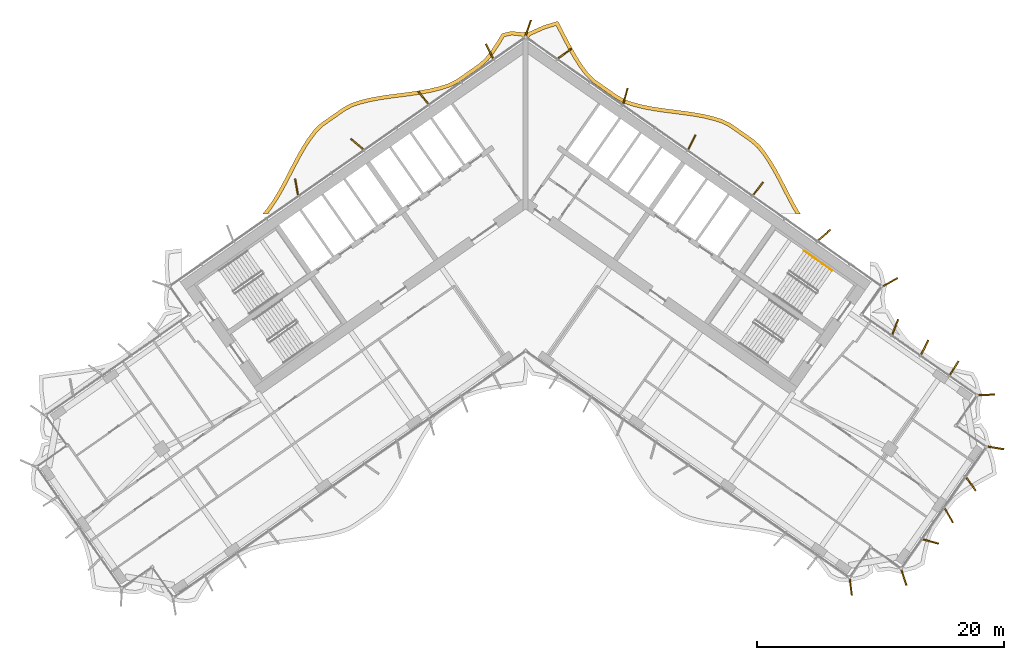
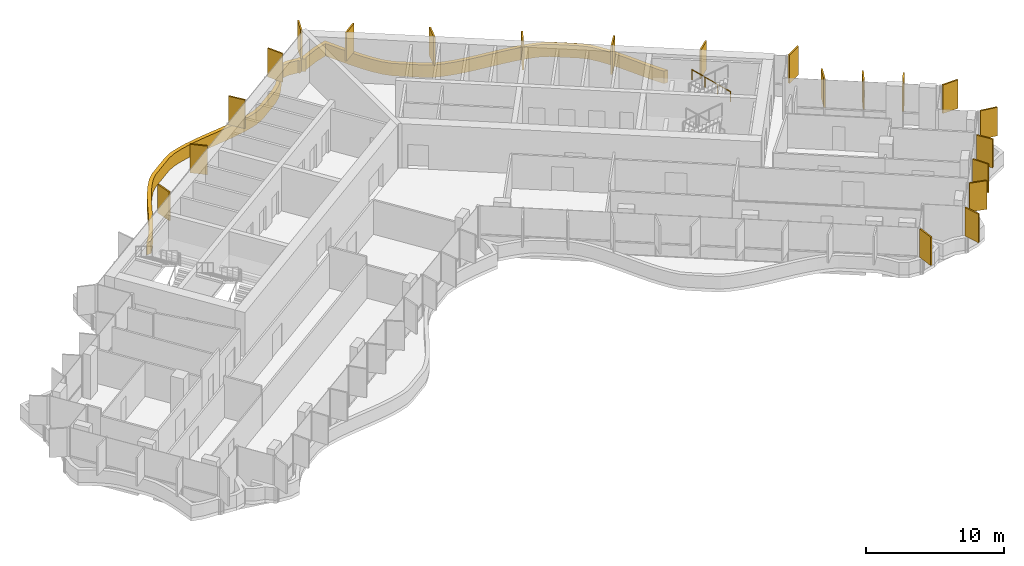
# One storey, part 21 of 21: 22 shading devices, 1 railing.
"""IFC4 building model written with IfcOpenShell, lengths in metres."""

from ifc_helpers import new_model, si_unit, direction, frame, origin, origin_2d, place, context, subcontext, project, spatial, polyline, rectangle, circle, outline, extrude, material, layer, layer_set, type_object, element, save


model = new_model("IFC4")

# Units and contexts
model_context = context("Model", 3, precision=1e-05, world=origin(), true_north=direction((0.0, 1.0)))
body_context = subcontext(model_context, "Body", "Model", "MODEL_VIEW")
ifc_project = project(units=[si_unit("LENGTHUNIT", "METRE"), si_unit("AREAUNIT", "SQUARE_METRE"), si_unit("VOLUMEUNIT", "CUBIC_METRE"), si_unit("PLANEANGLEUNIT", "RADIAN"), si_unit("MASSUNIT", "GRAM", prefix="KILO")], contexts=[model_context])

# Site, building, storey
site_placement = place(None, origin())
site = spatial("IfcSite", under=ifc_project, at=site_placement, CompositionType="ELEMENT")
building_placement = place(site_placement, origin())
building = spatial("IfcBuilding", under=site, at=building_placement, Name="Tel Ilan Convention Tower", CompositionType="ELEMENT")
storey_placement = place(building_placement, frame((0.0, 0.0, 159.300048828125)))
storey = spatial("IfcBuildingStorey", under=building, at=storey_placement, Name="L36", CompositionType="ELEMENT", Elevation=159.300048828125)

# Shading devices
ifc_material_1 = material(Name="Aluminium, bronze anodised", Category="aluminium")
ifc_layer_1 = layer(ifc_material_1, 0.1201171875)
ifc_layer_set_1 = layer_set([ifc_layer_1], Name="FIN BRONZE 1300x120")
shading_device_type_1 = type_object("IfcShadingDeviceType", Name="FIN BRONZE 1300x120", PredefinedType="USERDEFINED", material=ifc_layer_set_1)
for number, where, z_axis, x_axis, name in (
    (1, (29.5439453125, -7.13623046875, 1.099853515625), (0.0, 0.0, 1.0), (0.870832754082, 0.491579408049, 0.0), "FIN"),
    (2, (24.191162109375, -3.33349609375, 1.099853515625), (0.0, 0.0, 1.0), (0.753435896329, 0.657521368568, 0.0), "FIN"),
    (3, (18.827880859375, 0.43017578125, 1.099853515625), (0.0, 0.0, 1.0), (0.612600545196, 0.790392669516, 0.0), "FIN"),
    (4, (13.45947265625, 4.188720703125, 1.099853515625), (0.0, 0.0, 1.0), (0.448799180206, 0.893632640321, 0.0), "FIN"),
    (5, (8.083251953125, 7.93017578125, 1.099853515625), (0.0, 0.0, 1.0), (0.268172612768, 0.963370878614, 0.0), "FIN"),
    (6, (3.172607421875, 11.36865234375, 1.099853515625), (0.0, 0.0, 1.0), (0.813552070258, 0.581492071294, 0.0), "FIN"),
    (7, (0.21630859375, 13.450439453125, 1.099853515625), (0.0, 0.0, 1.0), (0.332892691468, 0.942964716183, 0.0), "FIN"),
    (8, (-2.928955078125, 11.562255859375, 1.099853515625), (0.0, 0.0, 1.0), (-0.448799180206, 0.893632640321, 0.0), "FIN"),
    (9, (-8.29736328125, 7.8037109375, 1.099853515625), (0.0, 0.0, 1.0), (-0.612600545196, 0.790392669516, 0.0), "FIN"),
    (10, (-13.660888671875, 4.0400390625, 1.099853515625), (0.0, 0.0, 1.0), (-0.753435896329, 0.657521368568, 0.0), "FIN"),
    (11, (-18.555419921875, 0.574951171875, 1.099853515625), (0.0, 0.0, 1.0), (-0.173648177667, 0.984807753012, 0.0), "FIN"),
    (12, (26.334228515625, -31.84716796875, 1.099853515625), (0.0, 0.0, 1.0), (0.125718016748, -0.992066016082, 0.0), "FIN"),
    (13, (30.635986328125, -31.08837890625, 1.099853515625), (0.0, 0.0, 1.0), (0.314544756146, -0.949242643575, 0.0), "FIN"),
    (14, (32.82177734375, -28.150390625, 1.099853515625), (0.0, 0.0, 1.0), (0.963370878614, -0.268172612768, 0.0), "FIN"),
    (15, (34.2744140625, -26.043701171875, 1.099853515625), (0.0, 0.0, 1.0), (0.5, -0.866025403784, 0.0), "FIN"),
    (16, (36.072265625, -23.508056640625, 1.099853515625), (0.0, 0.0, 1.0), (0.581492071294, -0.813552070258, 0.0), "FIN"),
    (17, (38.088134765625, -20.572998046875, 1.099853515625), (0.0, 0.0, 1.0), (0.986445172547, -0.16409119891, 0.0), "FIN"),
    (18, (37.348876953125, -16.27099609375, 1.099853515625), (0.0, 0.0, 1.0), (0.999576950082, 0.029084718749, 0.0), "FIN"),
    (19, (34.70458984375, -14.10498046875, 1.099853515625), (0.0, 0.0, 1.0), (0.533204432798, 0.845986425922, 0.0), "FIN"),
    (20, (32.318359375, -12.4345703125, 1.099853515625), (0.0, 0.0, 1.0), (0.448799180206, 0.893632640321, 0.0), "FIN"),
    (21, (29.929443359375, -10.76953125, 1.099853515625), (0.0, 0.0, 1.0), (0.360177724803, 0.932883704733, 0.0), "FIN"),
):
    element("IfcShadingDevice", number, at=place(storey_placement, frame(where, z_axis=z_axis, x_axis=x_axis)), inside=storey, type_object=shading_device_type_1, Name=name, ObjectType="FIN", PredefinedType="USERDEFINED", context=body_context, shape_type="SweptSolid", body=[
        extrude(rectangle(XDim=1.300048828125, YDim=0.1201171875, at=origin_2d()), origin(), (0.0, 0.0, 1.0), 2.52001953125),
    ])
ifc_material_2 = material(Name="Aluminium, bronze anodised", Category="aluminium")
ifc_layer_2 = layer(ifc_material_2, 0.300048828125)
ifc_layer_set_2 = layer_set([ifc_layer_2], Name="LOUVRE BAND 300x1100")
shading_device_type_2 = type_object("IfcShadingDeviceType", Name="LOUVRE BAND 300x1100", PredefinedType="USERDEFINED", material=ifc_layer_set_2)
shading_device_placement = place(storey_placement, origin())
element("IfcShadingDevice", 22, at=shading_device_placement, inside=storey, type_object=shading_device_type_2, Name="LOUVRE BAND 28.02", ObjectType="LOUVRE", PredefinedType="USERDEFINED", context=body_context, shape_type="SweptSolid", body=[
    extrude(outline(polyline([(-20.849609375, -1.0634765625), (-21.30126953125, -1.631591796875), (-20.91796875, -1.631591796875), (-20.607666015625, -1.2412109375), (-20.154052734375, -0.572265625), (-19.73291015625, 0.13330078125), (-19.335205078125, 0.86328125), (-18.57080078125, 2.342041015625), (-18.1845703125, 3.06298828125), (-17.78369140625, 3.75341796875), (-17.359619140625, 4.40185546875), (-16.911376953125, 4.99072265625), (-16.409912109375, 5.478515625), (-14.633056640625, 6.722412109375), (-14.02197265625, 7.05712890625), (-13.32763671875, 7.284912109375), (-12.58056640625, 7.4697265625), (-11.800048828125, 7.61669921875), (-10.994384765625, 7.73681640625), (-9.345458984375, 7.94873046875), (-8.521484375, 8.068603515625), (-7.710693359375, 8.216064453125), (-6.921875, 8.404296875), (-6.152587890625, 8.64794921875), (-5.447509765625, 9.00390625), (-3.604248046875, 10.29443359375), (-3.021484375, 10.82373046875), (-2.525634765625, 11.46142578125), (-2.076904296875, 12.135498046875), (-1.727783203125, 12.727294921875), (-1.12451171875, 12.861572265625), (-0.33935546875, 12.77978515625), (-0.24609375, 12.646728515625), (0.0, 12.818115234375), (0.24609375, 12.646728515625), (0.3701171875, 12.82373046875), (1.583984375, 13.365234375), (2.46484375, 13.628173828125), (3.115478515625, 12.37158203125), (3.5078125, 11.636474609375), (3.92041015625, 10.921630859375), (4.362548828125, 10.239501953125), (4.84716796875, 9.595947265625), (5.407958984375, 9.031494140625), (7.251220703125, 7.74072265625), (7.93212890625, 7.353759765625), (8.69921875, 7.09716796875), (9.48291015625, 6.89990234375), (10.2900390625, 6.745361328125), (11.112060546875, 6.621337890625), (12.762939453125, 6.408935546875), (13.572509765625, 6.29248046875), (14.3583984375, 6.15185546875), (15.11279296875, 5.97509765625), (15.819580078125, 5.75537109375), (16.44921875, 5.450927734375), (18.22607421875, 4.206787109375), (18.74951171875, 3.746826171875), (19.200927734375, 3.172607421875), (19.63037109375, 2.533447265625), (20.03515625, 1.850341796875), (20.423583984375, 1.13427734375), (21.186767578125, -0.3427734375), (21.5810546875, -1.075927734375), (21.906005859375, -1.631591796875), (22.25341796875, -1.631591796875), (21.8427734375, -0.928955078125), (21.4521484375, -0.202880859375), (20.688720703125, 1.27490234375), (20.296142578125, 1.998291015625), (19.884033203125, 2.69384765625), (19.44384765625, 3.34912109375), (18.96826171875, 3.9541015625), (18.41162109375, 4.443115234375), (16.6015625, 5.71044921875), (15.929931640625, 6.03515625), (15.191650390625, 6.2646484375), (14.419189453125, 6.44580078125), (13.6201171875, 6.588623046875), (12.80322265625, 6.7060546875), (11.15380859375, 6.91845703125), (10.340576171875, 7.041259765625), (9.547607421875, 7.19287109375), (8.783447265625, 7.385498046875), (8.054931640625, 7.62890625), (7.411865234375, 7.99462890625), (5.601806640625, 9.261962890625), (5.074462890625, 9.792724609375), (4.608642578125, 10.41162109375), (4.17626953125, 11.078369140625), (3.770263671875, 11.7822265625), (3.38134765625, 12.510986328125), (2.6162109375, 13.986328125), (1.4794921875, 13.647216796875), (0.168701171875, 13.059326171875), (0.11474609375, 13.09521484375), (0.0, 13.1181640625), (-0.11474609375, 13.09521484375), (-0.168701171875, 13.059326171875), (-1.14208984375, 13.1650390625), (-1.919921875, 12.991943359375), (-2.3310546875, 12.294921875), (-2.769287109375, 11.63671875), (-3.242431640625, 11.0283203125), (-3.7919921875, 10.529296875), (-5.601806640625, 9.261962890625), (-6.26611328125, 8.926513671875), (-7.002197265625, 8.693603515625), (-7.7724609375, 8.509765625), (-8.570068359375, 8.36474609375), (-9.385986328125, 8.24609375), (-11.03564453125, 8.033935546875), (-11.849853515625, 7.91259765625), (-12.644287109375, 7.76318359375), (-13.41064453125, 7.573486328125), (-14.141845703125, 7.33349609375), (-14.791748046875, 6.977783203125), (-16.6015625, 5.71044921875), (-17.136474609375, 5.1904296875), (-17.604736328125, 4.574951171875), (-18.0390625, 3.9111328125), (-18.44677734375, 3.209228515625), (-18.83642578125, 2.481689453125), (-19.60009765625, 1.004150390625), (-19.993408203125, 0.281982421875), (-20.4072265625, -0.4111328125), (-20.849609375, -1.0634765625)])), origin(), (0.0, 0.0, 1.0), 1.099853515625),
])

# Railing
ifc_material_3 = material(Name="Stainless Steel Grade 316", Category="steel")
railing_type = type_object("IfcRailingType", Name="Stainless Steel Stair Handrail 900 mm", PredefinedType="HANDRAIL", material=ifc_material_3)
railing_placement = place(storey_placement, frame((24.825927734375, -6.213134765625, 0.17724609375)))
element("IfcRailing", 23, at=railing_placement, inside=storey, type_object=railing_type, Name="L36 S3 stair handrail 1", PredefinedType="HANDRAIL", context=body_context, shape_type="SweptSolid", body=[
    extrude(circle(Radius=0.02392578125, at=origin_2d()), frame((0.0, 0.0, 0.8759765625), z_axis=(-0.692123088272, 0.484596665743, 0.534912798717), x_axis=(-0.573550118428, -0.819170471667, 0.0)), (0.0, 0.0, 1.0), 3.31396484375),
    extrude(circle(Radius=0.02099609375, at=origin_2d()), origin(), (0.0, 0.0, 1.0), 0.851806640625),
    extrude(circle(Radius=0.02099609375, at=origin_2d()), frame((-0.7646484375, 0.535400390625, 0.5908203125)), (0.0, 0.0, 1.0), 0.851806640625),
    extrude(circle(Radius=0.02099609375, at=origin_2d()), frame((-1.529052734375, 1.070556640625, 1.181884765625)), (0.0, 0.0, 1.0), 0.851806640625),
    extrude(circle(Radius=0.02099609375, at=origin_2d()), frame((-2.293701171875, 1.60595703125, 1.772705078125)), (0.0, 0.0, 1.0), 0.851806640625),
])

save(model, "model.ifc")
